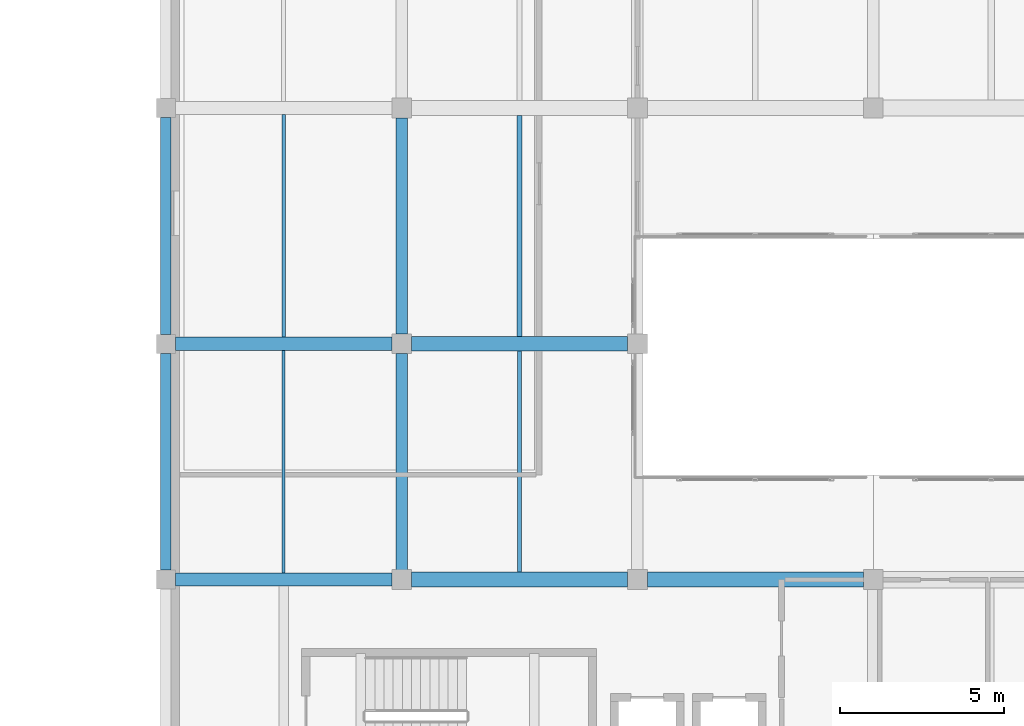
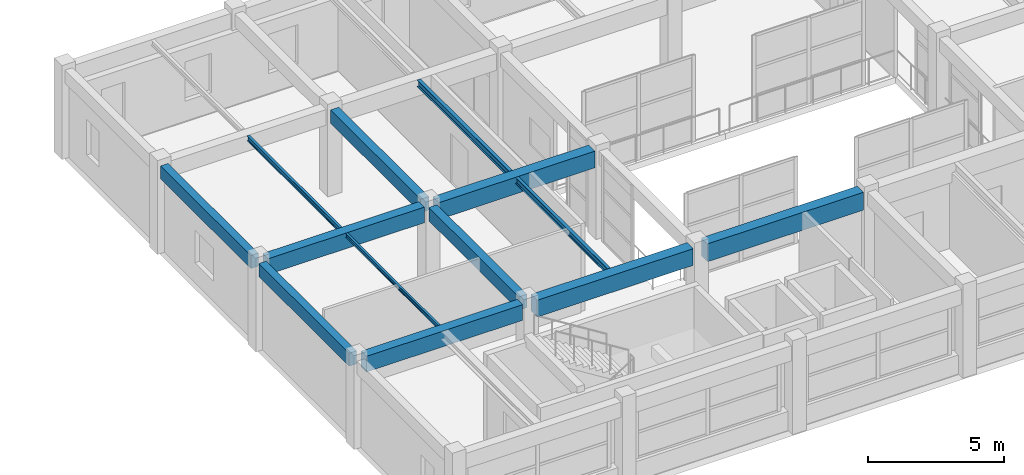
# One storey, part 14 of 49: 13 beams.
"""IFC4 building model written with IfcOpenShell, lengths in metres."""

from ifc_helpers import new_model, si_unit, direction, frame, origin, origin_2d, place, context, subcontext, project, spatial, rectangle, i_section, extrude, material, material_profile, profile_set, type_object, element, save


model = new_model("IFC4")

# Units and contexts
model_context = context("Model", 3, precision=1e-05, world=origin(), true_north=direction((0.0, 1.0)))
body_context = subcontext(model_context, "Body", "Model", "MODEL_VIEW")
ifc_project = project(units=[si_unit("LENGTHUNIT", "METRE"), si_unit("AREAUNIT", "SQUARE_METRE"), si_unit("VOLUMEUNIT", "CUBIC_METRE"), si_unit("PLANEANGLEUNIT", "RADIAN"), si_unit("MASSUNIT", "GRAM", prefix="KILO")], contexts=[model_context])

# Site, building, storey
site_placement = place(None, origin())
site = spatial("IfcSite", under=ifc_project, at=site_placement, CompositionType="ELEMENT")
building_placement = place(site_placement, origin())
building = spatial("IfcBuilding", under=site, at=building_placement, Name="Bramveld Media Centre", CompositionType="ELEMENT")
storey_placement = place(building_placement, frame((0.0, 0.0, 9.60009765625)))
storey = spatial("IfcBuildingStorey", under=building, at=storey_placement, Name="L02", CompositionType="ELEMENT", Elevation=9.60009765625)

# Beams
ifc_material_1 = material(Name="Concrete C40/50", Category="concrete")
ifc_material_profile_1 = material_profile(ifc_material_1, rectangle(XDim=0.35009765625, YDim=0.60009765625, at=origin_2d()), Name="RC 350x600")
ifc_profile_set_1 = profile_set([ifc_material_profile_1], Name="Concrete C40/50")
beam_type_1 = type_object("IfcBeamType", Name="BM-INT-RC-350x600", PredefinedType="BEAM", material=ifc_profile_set_1)
beam_1_placement = place(storey_placement, frame((72.800048828125, 97.89990234375, 3.619873046875), z_axis=(0.0, 1.0, 0.0), x_axis=(-1.0, 0.0, 0.0)))
element("IfcBeam", 1, at=beam_1_placement, inside=storey, type_object=beam_type_1, Name="V6 L02 girder Y-1096", PredefinedType="BEAM", context=body_context, shape_type="SweptSolid", body=[
    extrude(rectangle(XDim=0.35009765625, YDim=0.60009765625, at=origin_2d()), origin(), (0.0, 0.0, 1.0), 6.60009765625),
])
beam_2_placement = place(storey_placement, frame((72.800048828125, 105.10009765625, 3.619873046875), z_axis=(0.0, 1.0, 0.0), x_axis=(-1.0, 0.0, 0.0)))
element("IfcBeam", 2, at=beam_2_placement, inside=storey, type_object=beam_type_1, Name="V6 L02 girder Y-1097", PredefinedType="BEAM", context=body_context, shape_type="SweptSolid", body=[
    extrude(rectangle(XDim=0.35009765625, YDim=0.60009765625, at=origin_2d()), origin(), (0.0, 0.0, 1.0), 6.599853515625),
])
ifc_material_2 = material(Name="Concrete C40/50", Category="concrete")
ifc_material_profile_2 = material_profile(ifc_material_2, rectangle(XDim=0.39990234375, YDim=0.699951171875, at=origin_2d()), Name="RC 400x700")
ifc_profile_set_2 = profile_set([ifc_material_profile_2], Name="Concrete C40/50")
beam_type_2 = type_object("IfcBeamType", Name="BM-INT-RC-400x700", PredefinedType="BEAM", material=ifc_profile_set_2)
for number, where, z_axis, x_axis, name in (
    (3, (65.889892578125, 97.60009765625, 3.56982421875), (1.0, 0.0, 0.0), (0.0, 1.0, 0.0), "V6 L02 girder X-1070"),
    (4, (65.889892578125, 104.800048828125, 3.56982421875), (1.0, 0.0, 0.0), (0.0, 1.0, 0.0), "V6 L02 girder X-1076"),
):
    element("IfcBeam", number, at=place(storey_placement, frame(where, z_axis=z_axis, x_axis=x_axis)), inside=storey, type_object=beam_type_2, Name=name, PredefinedType="BEAM", context=body_context, shape_type="SweptSolid", body=[
        extrude(rectangle(XDim=0.39990234375, YDim=0.699951171875, at=origin_2d()), origin(), (0.0, 0.0, 1.0), 6.610107421875),
    ])
ifc_material_3 = material(Name="Concrete C40/50", Category="concrete")
ifc_material_profile_3 = material_profile(ifc_material_3, rectangle(XDim=0.449951171875, YDim=0.75, at=origin_2d()), Name="RC 450x750")
ifc_profile_set_3 = profile_set([ifc_material_profile_3], Name="Concrete C40/50")
beam_type_3 = type_object("IfcBeamType", Name="BM-INT-RC-450x750", PredefinedType="BEAM", material=ifc_profile_set_3)
for number, where, z_axis, x_axis, name in (
    (5, (73.10009765625, 97.60009765625, 3.544921875), (1.0, 0.0, 0.0), (0.0, 1.0, 0.0), "V6 L02 girder X-1071"),
    (6, (73.10009765625, 104.800048828125, 3.544921875), (1.0, 0.0, 0.0), (0.0, 1.0, 0.0), "V6 L02 girder X-1077"),
):
    element("IfcBeam", number, at=place(storey_placement, frame(where, z_axis=z_axis, x_axis=x_axis)), inside=storey, type_object=beam_type_3, Name=name, PredefinedType="BEAM", context=body_context, shape_type="SweptSolid", body=[
        extrude(rectangle(XDim=0.449951171875, YDim=0.75, at=origin_2d()), origin(), (0.0, 0.0, 1.0), 6.599853515625),
    ])
ifc_material_4 = material(Name="Concrete C40/50", Category="concrete")
ifc_material_profile_4 = material_profile(ifc_material_4, rectangle(XDim=0.449951171875, YDim=0.800048828125, at=origin_2d()), Name="RC 450x800")
ifc_profile_set_4 = profile_set([ifc_material_profile_4], Name="Concrete C40/50")
beam_type_4 = type_object("IfcBeamType", Name="BM-INT-RC-450x800", PredefinedType="BEAM", material=ifc_profile_set_4)
beam_3_placement = place(storey_placement, frame((80.300048828125, 97.60009765625, 3.52001953125), z_axis=(1.0, 0.0, 0.0), x_axis=(0.0, 1.0, 0.0)))
element("IfcBeam", 7, at=beam_3_placement, inside=storey, type_object=beam_type_4, Name="V6 L02 girder X-1072", PredefinedType="BEAM", context=body_context, shape_type="SweptSolid", body=[
    extrude(rectangle(XDim=0.449951171875, YDim=0.800048828125, at=origin_2d()), origin(), (0.0, 0.0, 1.0), 6.599853515625),
])
ifc_material_5 = material(Name="Steel S355J2", Category="steel")
ifc_material_profile_5 = material_profile(ifc_material_5, i_section(OverallWidth=0.091064453125, OverallDepth=0.179931640625, WebThickness=0.00537109375, FlangeThickness=0.008056640625, FilletRadius=0.009033203125, at=origin_2d()), Name="IPE 180")
ifc_profile_set_5 = profile_set([ifc_material_profile_5], Name="Steel S355J2")
beam_type_5 = type_object("IfcBeamType", Name="SBM-INT-IPE-180", PredefinedType="JOIST", material=ifc_profile_set_5)
beam_4_placement = place(storey_placement, frame((69.199951171875, 97.800048828125, 3.829833984375), z_axis=(0.0, 1.0, 0.0), x_axis=(-1.0, 0.0, 0.0)))
element("IfcBeam", 8, at=beam_4_placement, inside=storey, type_object=beam_type_5, Name="V6 L02 secondary floor joist 1117", PredefinedType="JOIST", context=body_context, shape_type="SweptSolid", body=[
    extrude(i_section(OverallWidth=0.091064453125, OverallDepth=0.179931640625, WebThickness=0.00537109375, FlangeThickness=0.008056640625, FilletRadius=0.009033203125, at=origin_2d()), origin(), (0.0, 0.0, 1.0), 6.800048828125),
])
ifc_material_6 = material(Name="Steel S355J2", Category="steel")
ifc_material_profile_6 = material_profile(ifc_material_6, i_section(OverallWidth=0.110107421875, OverallDepth=0.219970703125, WebThickness=0.005859375, FlangeThickness=0.00927734375, FilletRadius=0.011962890625, at=origin_2d()), Name="IPE 220")
ifc_profile_set_6 = profile_set([ifc_material_profile_6], Name="Steel S355J2")
beam_type_6 = type_object("IfcBeamType", Name="SBM-INT-IPE-220", PredefinedType="JOIST", material=ifc_profile_set_6)
beam_5_placement = place(storey_placement, frame((69.199951171875, 105.0, 3.809814453125), z_axis=(0.0, 1.0, 0.0), x_axis=(-1.0, 0.0, 0.0)))
element("IfcBeam", 9, at=beam_5_placement, inside=storey, type_object=beam_type_6, Name="V6 L02 secondary floor joist 1118", PredefinedType="JOIST", context=body_context, shape_type="SweptSolid", body=[
    extrude(i_section(OverallWidth=0.110107421875, OverallDepth=0.219970703125, WebThickness=0.005859375, FlangeThickness=0.00927734375, FilletRadius=0.011962890625, at=origin_2d()), origin(), (0.0, 0.0, 1.0), 6.800048828125),
])
ifc_material_7 = material(Name="Steel S355J2", Category="steel")
ifc_material_profile_7 = material_profile(ifc_material_7, i_section(OverallWidth=0.135009765625, OverallDepth=0.27001953125, WebThickness=0.006591796875, FlangeThickness=0.01025390625, FilletRadius=0.014892578125, at=origin_2d()), Name="IPE 270")
ifc_profile_set_7 = profile_set([ifc_material_profile_7], Name="Steel S355J2")
beam_type_7 = type_object("IfcBeamType", Name="SBM-INT-IPE-270", PredefinedType="JOIST", material=ifc_profile_set_7)
beam_6_placement = place(storey_placement, frame((76.39990234375, 97.824951171875, 3.784912109375), z_axis=(0.0, 1.0, 0.0), x_axis=(-1.0, 0.0, 0.0)))
element("IfcBeam", 10, at=beam_6_placement, inside=storey, type_object=beam_type_7, Name="V6 L02 secondary floor joist 1120", PredefinedType="JOIST", context=body_context, shape_type="SweptSolid", body=[
    extrude(i_section(OverallWidth=0.135009765625, OverallDepth=0.27001953125, WebThickness=0.006591796875, FlangeThickness=0.01025390625, FilletRadius=0.014892578125, at=origin_2d()), origin(), (0.0, 0.0, 1.0), 6.75),
])
ifc_material_8 = material(Name="Steel S355J2", Category="steel")
ifc_material_profile_8 = material_profile(ifc_material_8, i_section(OverallWidth=0.14990234375, OverallDepth=0.300048828125, WebThickness=0.007080078125, FlangeThickness=0.0107421875, FilletRadius=0.014892578125, at=origin_2d()), Name="IPE 300")
ifc_profile_set_8 = profile_set([ifc_material_profile_8], Name="Steel S355J2")
beam_type_8 = type_object("IfcBeamType", Name="SBM-INT-IPE-300", PredefinedType="JOIST", material=ifc_profile_set_8)
beam_7_placement = place(storey_placement, frame((76.39990234375, 105.02490234375, 3.77001953125), z_axis=(0.0, 1.0, 0.0), x_axis=(-1.0, 0.0, 0.0)))
element("IfcBeam", 11, at=beam_7_placement, inside=storey, type_object=beam_type_8, Name="V6 L02 secondary floor joist 1121", PredefinedType="JOIST", context=body_context, shape_type="SweptSolid", body=[
    extrude(i_section(OverallWidth=0.14990234375, OverallDepth=0.300048828125, WebThickness=0.007080078125, FlangeThickness=0.0107421875, FilletRadius=0.014892578125, at=origin_2d()), origin(), (0.0, 0.0, 1.0), 6.75),
])
ifc_material_9 = material(Name="Concrete C40/50", Category="concrete")
ifc_material_profile_9 = material_profile(ifc_material_9, rectangle(XDim=0.320068359375, YDim=0.580078125, at=origin_2d()), Name="RC 320x580")
ifc_profile_set_9 = profile_set([ifc_material_profile_9], Name="Concrete C40/50")
beam_type_9 = type_object("IfcBeamType", Name="SPANDREL-EXT-RC-320x580", PredefinedType="SPANDREL", material=ifc_profile_set_9)
beam_8_placement = place(storey_placement, frame((65.60009765625, 97.889892578125, 3.6298828125), z_axis=(0.0, 1.0, 0.0), x_axis=(-1.0, 0.0, 0.0)))
element("IfcBeam", 12, at=beam_8_placement, inside=storey, type_object=beam_type_9, Name="V6 L02 girder Y-1093", PredefinedType="SPANDREL", context=body_context, shape_type="SweptSolid", body=[
    extrude(rectangle(XDim=0.320068359375, YDim=0.580078125, at=origin_2d()), origin(), (0.0, 0.0, 1.0), 6.6201171875),
])
beam_9_placement = place(storey_placement, frame((65.60009765625, 105.090087890625, 3.6298828125), z_axis=(0.0, 1.0, 0.0), x_axis=(-1.0, 0.0, 0.0)))
element("IfcBeam", 13, at=beam_9_placement, inside=storey, type_object=beam_type_9, Name="V6 L02 girder Y-1094", PredefinedType="SPANDREL", context=body_context, shape_type="SweptSolid", body=[
    extrude(rectangle(XDim=0.320068359375, YDim=0.580078125, at=origin_2d()), origin(), (0.0, 0.0, 1.0), 6.619873046875),
])

save(model, "model.ifc")
